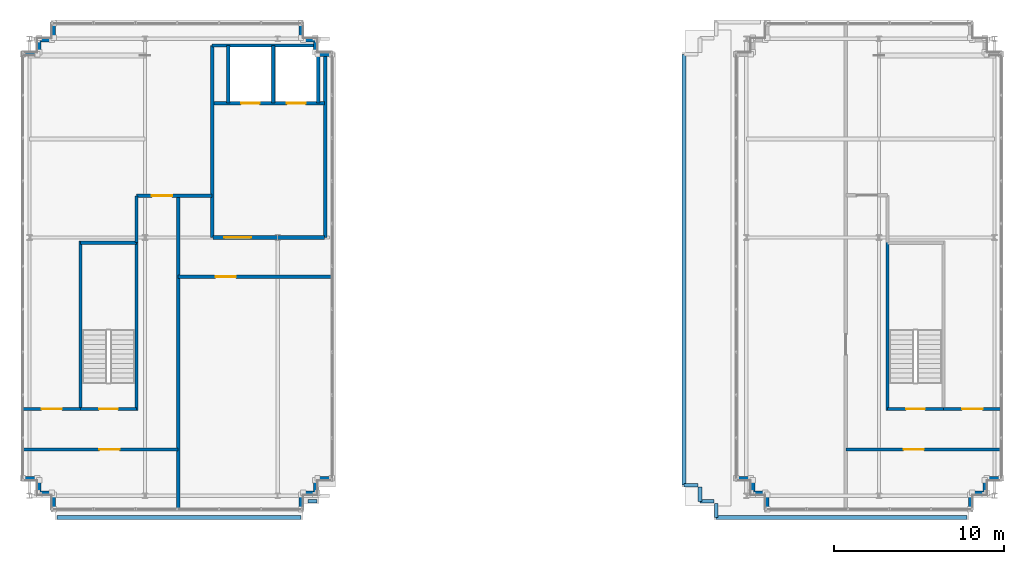
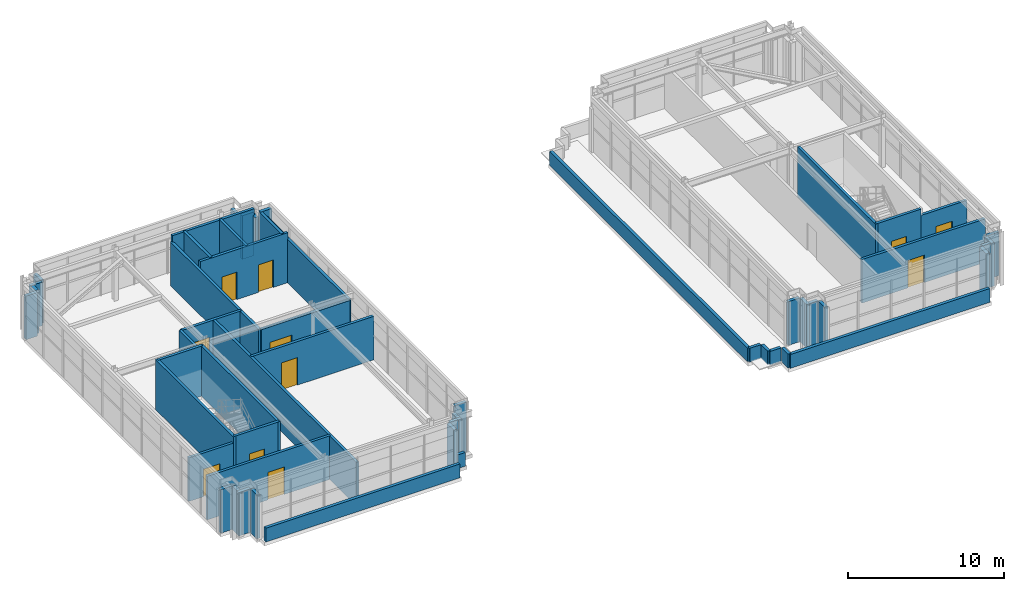
# One storey, part 21 of 25: 54 walls, 11 doors, 11 openings.
"""IFC4 building model written with IfcOpenShell, lengths in metres."""

from ifc_helpers import new_model, si_unit, direction, frame, frame_2d, origin, place, context, subcontext, project, spatial, rectangle, extrude, source, transform, mapped, material, layer, layer_set, type_object, element, fill, save


model = new_model("IFC4")

# Units and contexts
model_context = context("Model", 3, precision=1e-05, world=origin(), true_north=direction((0.0, 1.0)))
body_context = subcontext(model_context, "Body", "Model", "MODEL_VIEW")
ifc_project = project(units=[si_unit("LENGTHUNIT", "METRE"), si_unit("AREAUNIT", "SQUARE_METRE"), si_unit("VOLUMEUNIT", "CUBIC_METRE"), si_unit("PLANEANGLEUNIT", "RADIAN"), si_unit("MASSUNIT", "GRAM", prefix="KILO")], contexts=[model_context])

# Site, building, storey
site_placement = place(None, origin())
site = spatial("IfcSite", under=ifc_project, at=site_placement, CompositionType="ELEMENT")
building_placement = place(site_placement, origin())
building = spatial("IfcBuilding", under=site, at=building_placement, Name="Trelvane Seafront Commons", CompositionType="ELEMENT")
storey_placement = place(building_placement, frame((0.0, 0.0, 316.699951171875)))
storey = spatial("IfcBuildingStorey", under=building, at=storey_placement, Name="L82", CompositionType="ELEMENT", Elevation=316.699951171875)

# Walls
ifc_material_1 = material(Name="Precast concrete C40/50", Category="concrete")
ifc_layer_1 = layer(ifc_material_1, 0.239990234375, Name="ARCH-WALL-EXT240")
ifc_layer_set_1 = layer_set([ifc_layer_1], Name="Precast concrete C40/50")
wall_type_1 = type_object("IfcWallType", Name="ARCH-WALL-EXT240", PredefinedType="SOLIDWALL", material=ifc_layer_set_1)
for number, where, z_axis, x_axis, name in (
    (1, (10.10009765625, 18.3701171875, 0.0), (0.0, 0.0, 1.0), (-1.0, 0.0, 0.0), "EW-L82-CRN-01746"),
    (2, (9.3701171875, 18.25, 0.0), (0.0, 0.0, 1.0), (0.0, 1.0, 0.0), "EW-L82-CRN-01747"),
    (3, (9.25, 19.219970703125, 0.0), (0.0, 0.0, 1.0), (-1.0, 0.0, 0.0), "EW-L82-CRN-01748"),
    (4, (8.39990234375, 44.179931640625, 0.0), (0.0, 0.0, 1.0), (1.0, 0.0, 0.0), "EW-L82-CRN-01749"),
):
    element("IfcWall", number, at=place(storey_placement, frame(where, z_axis=z_axis, x_axis=x_axis)), inside=storey, type_object=wall_type_1, Name=name, PredefinedType="SOLIDWALL", context=body_context, shape_type="SweptSolid", body=[
        extrude(rectangle(XDim=0.85009765625, YDim=0.239990234375, at=frame_2d((0.425048828125, 0.0))), origin(), (0.0, 0.0, 1.0), 3.41015625),
    ])
wall_1_placement = place(storey_placement, frame((9.3701171875, 44.300048828125, 0.0), z_axis=(0.0, 0.0, 1.0), x_axis=(0.0, 1.0, 0.0)))
element("IfcWall", 5, at=wall_1_placement, inside=storey, type_object=wall_type_1, Name="EW-L82-CRN-01750", PredefinedType="SOLIDWALL", context=body_context, shape_type="SweptSolid", body=[
    extrude(rectangle(XDim=0.849853515625, YDim=0.239990234375, at=frame_2d((0.4248046875, 0.0))), origin(), (0.0, 0.0, 1.0), 3.41015625),
])
for number, where, z_axis, x_axis, name in (
    (6, (9.25, 45.030029296875, 0.0), (0.0, 0.0, 1.0), (1.0, 0.0, 0.0), "EW-L82-CRN-01751"),
    (7, (10.219970703125, 45.14990234375, 0.0), (0.0, 0.0, 1.0), (0.0, 1.0, 0.0), "EW-L82-CRN-01752"),
    (8, (24.780029296875, 46.0, 0.0), (0.0, 0.0, 1.0), (0.0, -1.0, 0.0), "EW-L82-CRN-01753"),
    (9, (24.89990234375, 45.030029296875, 0.0), (0.0, 0.0, 1.0), (1.0, 0.0, 0.0), "EW-L82-CRN-01754"),
):
    element("IfcWall", number, at=place(storey_placement, frame(where, z_axis=z_axis, x_axis=x_axis)), inside=storey, type_object=wall_type_1, Name=name, PredefinedType="SOLIDWALL", context=body_context, shape_type="SweptSolid", body=[
        extrude(rectangle(XDim=0.85009765625, YDim=0.239990234375, at=frame_2d((0.425048828125, 0.0))), origin(), (0.0, 0.0, 1.0), 3.41015625),
    ])
wall_2_placement = place(storey_placement, frame((25.6298828125, 45.14990234375, 0.0), z_axis=(0.0, 0.0, 1.0), x_axis=(0.0, -1.0, 0.0)))
element("IfcWall", 10, at=wall_2_placement, inside=storey, type_object=wall_type_1, Name="EW-L82-CRN-01755", PredefinedType="SOLIDWALL", context=body_context, shape_type="SweptSolid", body=[
    extrude(rectangle(XDim=0.849853515625, YDim=0.239990234375, at=frame_2d((0.4248046875, 0.0))), origin(), (0.0, 0.0, 1.0), 3.41015625),
])
for number, where, z_axis, x_axis, name in (
    (11, (25.75, 44.179931640625, 0.0), (0.0, 0.0, 1.0), (1.0, 0.0, 0.0), "EW-L82-CRN-01756"),
    (12, (26.60009765625, 19.219970703125, 0.0), (0.0, 0.0, 1.0), (-1.0, 0.0, 0.0), "EW-L82-CRN-01757"),
):
    element("IfcWall", number, at=place(storey_placement, frame(where, z_axis=z_axis, x_axis=x_axis)), inside=storey, type_object=wall_type_1, Name=name, PredefinedType="SOLIDWALL", context=body_context, shape_type="SweptSolid", body=[
        extrude(rectangle(XDim=0.85009765625, YDim=0.239990234375, at=frame_2d((0.425048828125, 0.0))), origin(), (0.0, 0.0, 1.0), 3.91015625),
    ])
for number, where, z_axis, x_axis, name in (
    (13, (25.6298828125, 19.10009765625, 0.0), (0.0, 0.0, 1.0), (0.0, -1.0, 0.0), "EW-L82-CRN-01758"),
    (14, (25.75, 18.3701171875, 0.0), (0.0, 0.0, 1.0), (-1.0, 0.0, 0.0), "EW-L82-CRN-01759"),
    (15, (24.780029296875, 18.25, 0.0), (0.0, 0.0, 1.0), (0.0, -1.0, 0.0), "EW-L82-CRN-01760"),
    (16, (10.219970703125, 17.39990234375, 0.0), (0.0, 0.0, 1.0), (0.0, 1.0, 0.0), "EW-L82-CRN-01761"),
    (17, (52.10009765625, 18.3701171875, 0.0), (0.0, 0.0, 1.0), (-1.0, 0.0, 0.0), "EW-L82-CRN-01762"),
    (18, (51.3701171875, 18.25, 0.0), (0.0, 0.0, 1.0), (0.0, 1.0, 0.0), "EW-L82-CRN-01763"),
    (19, (51.25, 19.219970703125, 0.0), (0.0, 0.0, 1.0), (-1.0, 0.0, 0.0), "EW-L82-CRN-01764"),
    (20, (66.0, 19.219970703125, 0.0), (0.0, 0.0, 1.0), (-1.0, 0.0, 0.0), "EW-L82-CRN-01773"),
    (21, (65.030029296875, 19.10009765625, 0.0), (0.0, 0.0, 1.0), (0.0, -1.0, 0.0), "EW-L82-CRN-01774"),
):
    element("IfcWall", number, at=place(storey_placement, frame(where, z_axis=z_axis, x_axis=x_axis)), inside=storey, type_object=wall_type_1, Name=name, PredefinedType="SOLIDWALL", context=body_context, shape_type="SweptSolid", body=[
        extrude(rectangle(XDim=0.85009765625, YDim=0.239990234375, at=frame_2d((0.425048828125, 0.0))), origin(), (0.0, 0.0, 1.0), 3.41015625),
    ])
wall_3_placement = place(storey_placement, frame((65.14990234375, 18.3701171875, 0.0), z_axis=(0.0, 0.0, 1.0), x_axis=(-1.0, 0.0, 0.0)))
element("IfcWall", 22, at=wall_3_placement, inside=storey, type_object=wall_type_1, Name="EW-L82-CRN-01775", PredefinedType="SOLIDWALL", context=body_context, shape_type="SweptSolid", body=[
    extrude(rectangle(XDim=0.849853515625, YDim=0.239990234375, at=frame_2d((0.4248046875, 0.0))), origin(), (0.0, 0.0, 1.0), 3.41015625),
])
for number, where, z_axis, x_axis, name in (
    (23, (64.179931640625, 18.25, 0.0), (0.0, 0.0, 1.0), (0.0, -1.0, 0.0), "EW-L82-CRN-01776"),
    (24, (52.219970703125, 17.39990234375, 0.0), (0.0, 0.0, 1.0), (0.0, 1.0, 0.0), "EW-L82-CRN-01777"),
):
    element("IfcWall", number, at=place(storey_placement, frame(where, z_axis=z_axis, x_axis=x_axis)), inside=storey, type_object=wall_type_1, Name=name, PredefinedType="SOLIDWALL", context=body_context, shape_type="SweptSolid", body=[
        extrude(rectangle(XDim=0.85009765625, YDim=0.239990234375, at=frame_2d((0.425048828125, 0.0))), origin(), (0.0, 0.0, 1.0), 3.41015625),
    ])
ifc_material_2 = material(Name="Concrete C40/50", Category="concrete")
ifc_layer_2 = layer(ifc_material_2, 0.199951171875, Name="ARCH-WALL-FIRE200")
ifc_layer_set_2 = layer_set([ifc_layer_2], Name="Concrete C40/50")
wall_type_2 = type_object("IfcWallType", Name="ARCH-WALL-FIRE200", PredefinedType="PARTITIONING", material=ifc_layer_set_2)
wall_4_placement = place(storey_placement, frame((19.550048828125, 33.39990234375, 0.0), z_axis=(0.0, 0.0, 1.0), x_axis=(0.0, 1.0, 0.0)))
element("IfcWall", 25, at=wall_4_placement, inside=storey, type_object=wall_type_2, Name="W-L82-FFL-WEST-CR-009", PredefinedType="PARTITIONING", context=body_context, shape_type="SweptSolid", body=[
    extrude(rectangle(XDim=11.300048828125, YDim=0.199951171875, at=frame_2d((5.64990234375, 0.0))), origin(), (0.0, 0.0, 1.0), 3.41015625),
])
wall_5_placement = place(storey_placement, frame((19.550048828125, 44.699951171875, 0.0), z_axis=(0.0, 0.0, 1.0), x_axis=(1.0, 0.0, 0.0)))
element("IfcWall", 26, at=wall_5_placement, inside=storey, type_object=wall_type_2, Name="W-L82-FFL-NORTH-CR-010", PredefinedType="PARTITIONING", context=body_context, shape_type="SweptSolid", body=[
    extrude(rectangle(XDim=6.079833984375, YDim=0.199951171875, at=frame_2d((3.0400390625, 0.0))), origin(), (0.0, 0.0, 1.0), 3.91015625),
])

# Wall, opening, door
wall_6_placement = place(storey_placement, frame((17.550048828125, 31.080078125, 0.0), z_axis=(0.0, 0.0, 1.0), x_axis=(1.0, 0.0, 0.0)))
wall_6 = element("IfcWall", 27, at=wall_6_placement, inside=storey, type_object=wall_type_2, Name="W-L82-CRNW-N-017", PredefinedType="PARTITIONING", context=body_context, shape_type="SweptSolid", body=[
    extrude(rectangle(XDim=9.0400390625, YDim=0.199951171875, at=frame_2d((4.52001953125, 0.0))), origin(), (0.0, 0.0, 1.0), 3.41015625),
])
opening_1_placement = place(wall_6_placement, frame((2.199951171875, 0.0, 0.0)))
opening_1 = element("IfcOpeningElement", 28, at=opening_1_placement, cuts=wall_6, Name="Opening FD-L82-06", PredefinedType="OPENING", context=body_context, shape_type="SweptSolid", body=[
    extrude(rectangle(XDim=1.199951171875, YDim=2.14990234375, at=frame_2d((0.60009765625, 1.074951171875))), frame((0.0, 0.10986328125, 0.0), z_axis=(0.0, -1.0, 0.0), x_axis=(1.0, 0.0, 0.0)), (0.0, 0.0, 1.0), 0.219970703125),
])
ifc_material_3 = material(Name="Powder-coated aluminium frame", Category="aluminium")
door_type_1 = type_object("IfcDoorType", Name="ARCH-DR-FD60-1200", OperationType="NOTDEFINED", PredefinedType="DOOR", material=ifc_material_3)
shared_shape_1 = source(origin(), body_context, "Body", "SweptSolid", [
    extrude(rectangle(XDim=1.199951171875, YDim=2.14990234375, at=frame_2d((0.60009765625, 1.074951171875))), frame((0.0, 0.02490234375, 0.0), z_axis=(0.0, -1.0, 0.0), x_axis=(1.0, 0.0, 0.0)), (0.0, 0.0, 1.0), 0.050048828125),
])
door_1_placement = place(opening_1_placement, origin())
door_1 = element("IfcDoor", 29, at=door_1_placement, inside=storey, type_object=door_type_1, Name="L82 West AHU Plant Door", OperationType="SINGLE_SWING_RIGHT", OverallHeight=2.14990234375, OverallWidth=1.199951171875, PredefinedType="DOOR", context=body_context, shape_type="MappedRepresentation", body=[
    mapped(shared_shape_1, transform((0.0, 0.0, 0.0), x_axis=(1.0, 0.0, 0.0), y_axis=(0.0, 1.0, 0.0), z_axis=(0.0, 0.0, 1.0), scale=1.0)),
])
fill(opening_1, door_1)

# Wall
wall_7_placement = place(storey_placement, frame((17.550048828125, 17.409912109375, 0.0), z_axis=(0.0, 0.0, 1.0), x_axis=(0.0, 1.0, 0.0)))
element("IfcWall", 30, at=wall_7_placement, inside=storey, type_object=wall_type_2, Name="W-L82-CRNW-E-018", PredefinedType="PARTITIONING", context=body_context, shape_type="SweptSolid", body=[
    extrude(rectangle(XDim=18.440185546875, YDim=0.199951171875, at=frame_2d((9.22021484375, 0.0))), origin(), (0.0, 0.0, 1.0), 3.41015625),
])

# Wall, opening, door
wall_8_placement = place(storey_placement, frame((8.409912109375, 20.919921875, 0.0), z_axis=(0.0, 0.0, 1.0), x_axis=(1.0, 0.0, 0.0)))
wall_8 = element("IfcWall", 31, at=wall_8_placement, inside=storey, type_object=wall_type_2, Name="W-L82-CRNW-S-019", PredefinedType="PARTITIONING", context=body_context, shape_type="SweptSolid", body=[
    extrude(rectangle(XDim=9.14013671875, YDim=0.199951171875, at=frame_2d((4.570068359375, 0.0))), origin(), (0.0, 0.0, 1.0), 3.41015625),
])
opening_2_placement = place(wall_8_placement, frame((4.5, 0.0, 0.0)))
opening_2 = element("IfcOpeningElement", 32, at=opening_2_placement, cuts=wall_8, Name="Opening FD-L82-07", PredefinedType="OPENING", context=body_context, shape_type="SweptSolid", body=[
    extrude(rectangle(XDim=1.199951171875, YDim=2.14990234375, at=frame_2d((0.60009765625, 1.074951171875))), frame((0.0, 0.10986328125, 0.0), z_axis=(0.0, -1.0, 0.0), x_axis=(1.0, 0.0, 0.0)), (0.0, 0.0, 1.0), 0.219970703125),
])
door_2_placement = place(opening_2_placement, origin())
door_2 = element("IfcDoor", 33, at=door_2_placement, inside=storey, type_object=door_type_1, Name="L82 Emergency Power Room Door", OperationType="SINGLE_SWING_LEFT", OverallHeight=2.14990234375, OverallWidth=1.199951171875, PredefinedType="DOOR", context=body_context, shape_type="MappedRepresentation", body=[
    mapped(shared_shape_1, transform((0.0, 0.0, 0.0), x_axis=(1.0, 0.0, 0.0), y_axis=(0.0, 1.0, 0.0), z_axis=(0.0, 0.0, 1.0), scale=1.0)),
])
fill(opening_2, door_2)

wall_9_placement = place(storey_placement, frame((8.409912109375, 23.300048828125, 0.0), z_axis=(0.0, 0.0, 1.0), x_axis=(1.0, 0.0, 0.0)))
wall_9 = element("IfcWall", 34, at=wall_9_placement, inside=storey, type_object=wall_type_2, Name="W-L82-CRNW-WCT-020", PredefinedType="PARTITIONING", context=body_context, shape_type="SweptSolid", body=[
    extrude(rectangle(XDim=3.39013671875, YDim=0.199951171875, at=frame_2d((1.695068359375, 0.0))), origin(), (0.0, 0.0, 1.0), 3.41015625),
])
opening_3_placement = place(wall_9_placement, frame((1.10009765625, 0.0, 0.0)))
opening_3 = element("IfcOpeningElement", 35, at=opening_3_placement, cuts=wall_9, Name="Opening FD-L82-08", PredefinedType="OPENING", context=body_context, shape_type="SweptSolid", body=[
    extrude(rectangle(XDim=1.199951171875, YDim=2.14990234375, at=frame_2d((0.60009765625, 1.074951171875))), frame((0.0, 0.10986328125, 0.0), z_axis=(0.0, -1.0, 0.0), x_axis=(1.0, 0.0, 0.0)), (0.0, 0.0, 1.0), 0.219970703125),
])
door_3_placement = place(opening_3_placement, origin())
door_3 = element("IfcDoor", 36, at=door_3_placement, inside=storey, type_object=door_type_1, Name="L82 Cooling Tower Hall Door", OperationType="SINGLE_SWING_RIGHT", OverallHeight=2.14990234375, OverallWidth=1.199951171875, PredefinedType="DOOR", context=body_context, shape_type="MappedRepresentation", body=[
    mapped(shared_shape_1, transform((0.0, 0.0, 0.0), x_axis=(1.0, 0.0, 0.0), y_axis=(0.0, 1.0, 0.0), z_axis=(0.0, 0.0, 1.0), scale=1.0)),
])
fill(opening_3, door_3)

wall_10_placement = place(storey_placement, frame((15.10009765625, 35.85009765625, 0.0), z_axis=(0.0, 0.0, 1.0), x_axis=(1.0, 0.0, 0.0)))
wall_10 = element("IfcWall", 37, at=wall_10_placement, inside=storey, type_object=wall_type_2, Name="W-L82-CRNW-SPN-021", PredefinedType="PARTITIONING", context=body_context, shape_type="SweptSolid", body=[
    extrude(rectangle(XDim=4.449951171875, YDim=0.199951171875, at=frame_2d((2.22509765625, 0.0))), origin(), (0.0, 0.0, 1.0), 3.41015625),
])
opening_4_placement = place(wall_10_placement, frame((0.89990234375, 0.0, 0.0)))
opening_4 = element("IfcOpeningElement", 38, at=opening_4_placement, cuts=wall_10, Name="Opening FD-L82-09", PredefinedType="OPENING", context=body_context, shape_type="SweptSolid", body=[
    extrude(rectangle(XDim=1.199951171875, YDim=2.14990234375, at=frame_2d((0.60009765625, 1.074951171875))), frame((0.0, 0.10986328125, 0.0), z_axis=(0.0, -1.0, 0.0), x_axis=(1.0, 0.0, 0.0)), (0.0, 0.0, 1.0), 0.219970703125),
])
door_4_placement = place(opening_4_placement, origin())
door_4 = element("IfcDoor", 39, at=door_4_placement, inside=storey, type_object=door_type_1, Name="L82 Door 09", OperationType="SINGLE_SWING_LEFT", OverallHeight=2.14990234375, OverallWidth=1.199951171875, PredefinedType="DOOR", context=body_context, shape_type="MappedRepresentation", body=[
    mapped(shared_shape_1, transform((0.0, 0.0, 0.0), x_axis=(1.0, 0.0, 0.0), y_axis=(0.0, 1.0, 0.0), z_axis=(0.0, 0.0, 1.0), scale=1.0)),
])
fill(opening_4, door_4)

# Wall
wall_11_placement = place(storey_placement, frame((15.10009765625, 33.10009765625, 0.0), z_axis=(0.0, 0.0, 1.0), x_axis=(0.0, 1.0, 0.0)))
element("IfcWall", 40, at=wall_11_placement, inside=storey, type_object=wall_type_2, Name="W-L82-CRNW-SPW-022", PredefinedType="PARTITIONING", context=body_context, shape_type="SweptSolid", body=[
    extrude(rectangle(XDim=2.75, YDim=0.199951171875, at=frame_2d((1.375, 0.0))), origin(), (0.0, 0.0, 1.0), 3.41015625),
])

# Wall, opening, door
wall_12_placement = place(storey_placement, frame((56.85009765625, 20.919921875, 0.0), z_axis=(0.0, 0.0, 1.0), x_axis=(1.0, 0.0, 0.0)))
wall_12 = element("IfcWall", 41, at=wall_12_placement, inside=storey, type_object=wall_type_2, Name="W-L82-CRNE-S-024", PredefinedType="PARTITIONING", context=body_context, shape_type="SweptSolid", body=[
    extrude(rectangle(XDim=9.139892578125, YDim=0.199951171875, at=frame_2d((4.56982421875, 0.0))), origin(), (0.0, 0.0, 1.0), 3.41015625),
])
opening_5_placement = place(wall_12_placement, frame((3.39990234375, 0.0, 0.0)))
opening_5 = element("IfcOpeningElement", 42, at=opening_5_placement, cuts=wall_12, Name="Opening FD-L82-11", PredefinedType="OPENING", context=body_context, shape_type="SweptSolid", body=[
    extrude(rectangle(XDim=1.199951171875, YDim=2.14990234375, at=frame_2d((0.60009765625, 1.074951171875))), frame((0.0, 0.10986328125, 0.0), z_axis=(0.0, -1.0, 0.0), x_axis=(1.0, 0.0, 0.0)), (0.0, 0.0, 1.0), 0.219970703125),
])
door_5_placement = place(opening_5_placement, origin())
door_5 = element("IfcDoor", 43, at=door_5_placement, inside=storey, type_object=door_type_1, Name="L82 Door 11", OperationType="SINGLE_SWING_LEFT", OverallHeight=2.14990234375, OverallWidth=1.199951171875, PredefinedType="DOOR", context=body_context, shape_type="MappedRepresentation", body=[
    mapped(shared_shape_1, transform((0.0, 0.0, 0.0), x_axis=(1.0, 0.0, 0.0), y_axis=(0.0, 1.0, 0.0), z_axis=(0.0, 0.0, 1.0), scale=1.0)),
])
fill(opening_5, door_5)

wall_13_placement = place(storey_placement, frame((62.60009765625, 23.300048828125, 0.0), z_axis=(0.0, 0.0, 1.0), x_axis=(1.0, 0.0, 0.0)))
wall_13 = element("IfcWall", 44, at=wall_13_placement, inside=storey, type_object=wall_type_2, Name="W-L82-CRNE-ETK-025", PredefinedType="PARTITIONING", context=body_context, shape_type="SweptSolid", body=[
    extrude(rectangle(XDim=3.389892578125, YDim=0.199951171875, at=frame_2d((1.69482421875, 0.0))), origin(), (0.0, 0.0, 1.0), 3.41015625),
])
opening_6_placement = place(wall_13_placement, frame((1.10009765625, 0.0, 0.0)))
opening_6 = element("IfcOpeningElement", 45, at=opening_6_placement, cuts=wall_13, Name="Opening FD-L82-12", PredefinedType="OPENING", context=body_context, shape_type="SweptSolid", body=[
    extrude(rectangle(XDim=1.199951171875, YDim=2.14990234375, at=frame_2d((0.60009765625, 1.074951171875))), frame((0.0, 0.10986328125, 0.0), z_axis=(0.0, -1.0, 0.0), x_axis=(1.0, 0.0, 0.0)), (0.0, 0.0, 1.0), 0.219970703125),
])
door_6_placement = place(opening_6_placement, origin())
door_6 = element("IfcDoor", 46, at=door_6_placement, inside=storey, type_object=door_type_1, Name="L82 Door 12", OperationType="SINGLE_SWING_RIGHT", OverallHeight=2.14990234375, OverallWidth=1.199951171875, PredefinedType="DOOR", context=body_context, shape_type="MappedRepresentation", body=[
    mapped(shared_shape_1, transform((0.0, 0.0, 0.0), x_axis=(1.0, 0.0, 0.0), y_axis=(0.0, 1.0, 0.0), z_axis=(0.0, 0.0, 1.0), scale=1.0)),
])
fill(opening_6, door_6)

ifc_layer_3 = layer(ifc_material_2, 0.25, Name="ARCH-WALL-FIRE250")
ifc_layer_set_3 = layer_set([ifc_layer_3], Name="Concrete C40/50")
wall_type_3 = type_object("IfcWallType", Name="ARCH-WALL-FIRE250", PredefinedType="PARTITIONING", material=ifc_layer_set_3)
wall_14_placement = place(storey_placement, frame((19.60009765625, 33.39990234375, 0.0), z_axis=(0.0, 0.0, 1.0), x_axis=(1.0, 0.0, 0.0)))
wall_14 = element("IfcWall", 47, at=wall_14_placement, inside=storey, type_object=wall_type_3, Name="W-L82-CS-FFL-016", PredefinedType="PARTITIONING", context=body_context, shape_type="SweptSolid", body=[
    extrude(rectangle(XDim=6.5498046875, YDim=0.25, at=frame_2d((3.27490234375, 0.0))), origin(), (0.0, 0.0, 1.0), 3.41015625),
])
opening_7_placement = place(wall_14_placement, frame((0.64990234375, 0.0, 0.0)))
opening_7 = element("IfcOpeningElement", 48, at=opening_7_placement, cuts=wall_14, Name="Opening FD-L82-05", PredefinedType="OPENING", context=body_context, shape_type="SweptSolid", body=[
    extrude(rectangle(XDim=1.60009765625, YDim=2.199951171875, at=frame_2d((0.800048828125, 1.10009765625))), frame((0.0, 0.135009765625, 0.0), z_axis=(0.0, -1.0, 0.0), x_axis=(1.0, 0.0, 0.0)), (0.0, 0.0, 1.0), 0.27001953125),
])
door_type_2 = type_object("IfcDoorType", Name="ARCH-DR-FD60-1600", OperationType="DOUBLE_DOOR_SINGLE_SWING", PredefinedType="DOOR", material=ifc_material_3)
shared_shape_2 = source(origin(), body_context, "Body", "SweptSolid", [
    extrude(rectangle(XDim=1.60009765625, YDim=2.199951171875, at=frame_2d((0.800048828125, 1.10009765625))), frame((0.0, 0.02490234375, 0.0), z_axis=(0.0, -1.0, 0.0), x_axis=(1.0, 0.0, 0.0)), (0.0, 0.0, 1.0), 0.050048828125),
])
door_7_placement = place(opening_7_placement, origin())
door_7 = element("IfcDoor", 49, at=door_7_placement, inside=storey, type_object=door_type_2, Name="L82 Firefighting Lift Lobby Double Fire Door", OperationType="DOUBLE_DOOR_SINGLE_SWING", OverallHeight=2.199951171875, OverallWidth=1.60009765625, PredefinedType="DOOR", context=body_context, shape_type="MappedRepresentation", body=[
    mapped(shared_shape_2, transform((0.0, 0.0, 0.0), x_axis=(1.0, 0.0, 0.0), y_axis=(0.0, 1.0, 0.0), z_axis=(0.0, 0.0, 1.0), scale=1.0)),
])
fill(opening_7, door_7)

# Walls
ifc_layer_4 = layer(ifc_material_1, 0.219970703125, Name="ARCH-WALL-PARAPET220")
ifc_layer_set_4 = layer_set([ifc_layer_4], Name="Precast concrete C40/50")
wall_type_4 = type_object("IfcWallType", Name="ARCH-WALL-PARAPET220", PredefinedType="PARAPET", material=ifc_layer_set_4)
wall_15_placement = place(storey_placement, frame((25.72998046875, 17.8701171875, 0.0), z_axis=(0.0, 0.0, 1.0), x_axis=(-1.0, 0.0, 0.0)))
element("IfcWall", 50, at=wall_15_placement, inside=storey, type_object=wall_type_4, Name="PAR-L82-1778", PredefinedType="PARAPET", context=body_context, shape_type="SweptSolid", body=[
    extrude(rectangle(XDim=0.550048828125, YDim=0.219970703125, at=frame_2d((0.27490234375, 0.0))), origin(), (0.0, 0.0, 1.0), 1.080078125),
])
wall_16_placement = place(storey_placement, frame((24.780029296875, 16.919921875, 0.0), z_axis=(0.0, 0.0, 1.0), x_axis=(-1.0, 0.0, 0.0)))
element("IfcWall", 51, at=wall_16_placement, inside=storey, type_object=wall_type_4, Name="PAR-L82-1779", PredefinedType="PARAPET", context=body_context, shape_type="SweptSolid", body=[
    extrude(rectangle(XDim=14.360107421875, YDim=0.219970703125, at=frame_2d((7.18017578125, 0.0))), origin(), (0.0, 0.0, 1.0), 1.080078125),
])
for number, where, z_axis, x_axis, name in (
    (52, (48.27001953125, 17.8701171875, 0.0), (0.0, 0.0, 1.0), (0.0, 1.0, 0.0), "PAR-L82-1780"),
    (53, (48.14990234375, 18.820068359375, 0.0), (0.0, 0.0, 1.0), (-1.0, 0.0, 0.0), "PAR-L82-1781"),
):
    element("IfcWall", number, at=place(storey_placement, frame(where, z_axis=z_axis, x_axis=x_axis)), inside=storey, type_object=wall_type_4, Name=name, PredefinedType="PARAPET", context=body_context, shape_type="SweptSolid", body=[
        extrude(rectangle(XDim=0.829833984375, YDim=0.219970703125, at=frame_2d((0.4150390625, 0.0))), origin(), (0.0, 0.0, 1.0), 1.080078125),
    ])
wall_17_placement = place(storey_placement, frame((47.320068359375, 18.820068359375, 0.0), z_axis=(0.0, 0.0, 1.0), x_axis=(0.0, 1.0, 0.0)))
element("IfcWall", 54, at=wall_17_placement, inside=storey, type_object=wall_type_4, Name="PAR-L82-1782", PredefinedType="PARAPET", context=body_context, shape_type="SweptSolid", body=[
    extrude(rectangle(XDim=25.35986328125, YDim=0.219970703125, at=frame_2d((12.679931640625, 0.0))), origin(), (0.0, 0.0, 1.0), 1.080078125),
])
wall_18_placement = place(storey_placement, frame((63.97998046875, 16.919921875, 0.0), z_axis=(0.0, 0.0, 1.0), x_axis=(-1.0, 0.0, 0.0)))
element("IfcWall", 55, at=wall_18_placement, inside=storey, type_object=wall_type_4, Name="PAR-L82-1788", PredefinedType="PARAPET", context=body_context, shape_type="SweptSolid", body=[
    extrude(rectangle(XDim=14.760009765625, YDim=0.219970703125, at=frame_2d((7.3798828125, 0.0))), origin(), (0.0, 0.0, 1.0), 1.080078125),
])
for number, where, z_axis, x_axis, name in (
    (56, (49.219970703125, 16.919921875, 0.0), (0.0, 0.0, 1.0), (0.0, 1.0, 0.0), "PAR-L82-1789"),
    (57, (49.10009765625, 17.8701171875, 0.0), (0.0, 0.0, 1.0), (-1.0, 0.0, 0.0), "PAR-L82-1790"),
):
    element("IfcWall", number, at=place(storey_placement, frame(where, z_axis=z_axis, x_axis=x_axis)), inside=storey, type_object=wall_type_4, Name=name, PredefinedType="PARAPET", context=body_context, shape_type="SweptSolid", body=[
        extrude(rectangle(XDim=0.830078125, YDim=0.219970703125, at=frame_2d((0.4150390625, 0.0))), origin(), (0.0, 0.0, 1.0), 1.080078125),
    ])

# Wall, openings, doors
ifc_layer_5 = layer(ifc_material_2, 0.199951171875, Name="ARCH-WALL-SHAFT200")
ifc_layer_set_5 = layer_set([ifc_layer_5], Name="Concrete C40/50")
wall_type_5 = type_object("IfcWallType", Name="ARCH-WALL-SHAFT200", PredefinedType="SOLIDWALL", material=ifc_layer_set_5)
wall_19_placement = place(storey_placement, frame((19.64990234375, 41.300048828125, 0.0), z_axis=(0.0, 0.0, 1.0), x_axis=(1.0, 0.0, 0.0)))
wall_19 = element("IfcWall", 58, at=wall_19_placement, inside=storey, type_object=wall_type_5, Name="W-L82-FFL-FRONT-011", PredefinedType="SOLIDWALL", context=body_context, shape_type="SweptSolid", body=[
    extrude(rectangle(XDim=6.5, YDim=0.199951171875, at=frame_2d((3.25, 0.0))), origin(), (0.0, 0.0, 1.0), 3.91015625),
])
opening_8_placement = place(wall_19_placement, frame((1.60009765625, 0.0, 0.0)))
opening_8 = element("IfcOpeningElement", 59, at=opening_8_placement, cuts=wall_19, Name="Opening LD-FF1-L82", PredefinedType="OPENING", context=body_context, shape_type="SweptSolid", body=[
    extrude(rectangle(XDim=1.10009765625, YDim=2.14990234375, at=frame_2d((0.550048828125, 1.074951171875))), frame((0.0, 0.10986328125, 0.0), z_axis=(0.0, -1.0, 0.0), x_axis=(1.0, 0.0, 0.0)), (0.0, 0.0, 1.0), 0.219970703125),
])
opening_9_placement = place(wall_19_placement, frame((4.300048828125, 0.0, 0.0)))
opening_9 = element("IfcOpeningElement", 60, at=opening_9_placement, cuts=wall_19, Name="Opening LD-FF2-L82", PredefinedType="OPENING", context=body_context, shape_type="SweptSolid", body=[
    extrude(rectangle(XDim=1.10009765625, YDim=2.14990234375, at=frame_2d((0.550048828125, 1.074951171875))), frame((0.0, 0.10986328125, 0.0), z_axis=(0.0, -1.0, 0.0), x_axis=(1.0, 0.0, 0.0)), (0.0, 0.0, 1.0), 0.219970703125),
])
ifc_material_4 = material(Name="Stainless steel balustrade", Category="steel")
door_type_3 = type_object("IfcDoorType", Name="ARCH-DR-LD1100", OperationType="DOUBLE_DOOR_SLIDING", PredefinedType="DOOR", material=ifc_material_4)
shared_shape_3 = source(origin(), body_context, "Body", "SweptSolid", [
    extrude(rectangle(XDim=1.10009765625, YDim=2.14990234375, at=frame_2d((0.550048828125, 1.074951171875))), frame((0.0, 0.02490234375, 0.0), z_axis=(0.0, -1.0, 0.0), x_axis=(1.0, 0.0, 0.0)), (0.0, 0.0, 1.0), 0.050048828125),
])
door_8_placement = place(opening_8_placement, origin())
door_8 = element("IfcDoor", 61, at=door_8_placement, inside=storey, type_object=door_type_3, Name="L82 Firefighting Lift FFL-1 Landing Door", OperationType="DOUBLE_DOOR_SLIDING", OverallHeight=2.14990234375, OverallWidth=1.10009765625, PredefinedType="DOOR", context=body_context, shape_type="MappedRepresentation", body=[
    mapped(shared_shape_3, transform((0.0, 0.0, 0.0), x_axis=(1.0, 0.0, 0.0), y_axis=(0.0, 1.0, 0.0), z_axis=(0.0, 0.0, 1.0), scale=1.0)),
])
fill(opening_8, door_8)
door_9_placement = place(opening_9_placement, origin())
door_9 = element("IfcDoor", 62, at=door_9_placement, inside=storey, type_object=door_type_3, Name="L82 Firefighting Lift FFL-2 Landing Door", OperationType="DOUBLE_DOOR_SLIDING", OverallHeight=2.14990234375, OverallWidth=1.10009765625, PredefinedType="DOOR", context=body_context, shape_type="MappedRepresentation", body=[
    mapped(shared_shape_3, transform((0.0, 0.0, 0.0), x_axis=(1.0, 0.0, 0.0), y_axis=(0.0, 1.0, 0.0), z_axis=(0.0, 0.0, 1.0), scale=1.0)),
])
fill(opening_9, door_9)

# Walls
for number, where, z_axis, x_axis, name in (
    (63, (20.5, 41.300048828125, 0.0), (0.0, 0.0, 1.0), (0.0, 1.0, 0.0), "W-L82-FFL-SH-W-012"),
    (64, (23.14990234375, 41.300048828125, 0.0), (0.0, 0.0, 1.0), (0.0, 1.0, 0.0), "W-L82-FFL-DIV-013"),
):
    element("IfcWall", number, at=place(storey_placement, frame(where, z_axis=z_axis, x_axis=x_axis)), inside=storey, type_object=wall_type_5, Name=name, PredefinedType="SOLIDWALL", context=body_context, shape_type="SweptSolid", body=[
        extrude(rectangle(XDim=3.39990234375, YDim=0.199951171875, at=frame_2d((1.699951171875, 0.0))), origin(), (0.0, 0.0, 1.0), 3.91015625),
    ])
wall_20_placement = place(storey_placement, frame((25.800048828125, 41.300048828125, 0.0), z_axis=(0.0, 0.0, 1.0), x_axis=(0.0, 1.0, 0.0)))
element("IfcWall", 65, at=wall_20_placement, inside=storey, type_object=wall_type_5, Name="W-L82-FFL-SH-E-014", PredefinedType="SOLIDWALL", context=body_context, shape_type="SweptSolid", body=[
    extrude(rectangle(XDim=2.85986328125, YDim=0.199951171875, at=frame_2d((1.429931640625, 0.0))), origin(), (0.0, 0.0, 1.0), 3.91015625),
])
wall_21_placement = place(storey_placement, frame((26.199951171875, 33.39990234375, 0.0), z_axis=(0.0, 0.0, 1.0), x_axis=(0.0, 1.0, 0.0)))
element("IfcWall", 66, at=wall_21_placement, inside=storey, type_object=wall_type_5, Name="W-L82-FFL-EAST-015", PredefinedType="SOLIDWALL", context=body_context, shape_type="SweptSolid", body=[
    extrude(rectangle(XDim=10.760009765625, YDim=0.199951171875, at=frame_2d((5.3798828125, 0.0))), origin(), (0.0, 0.0, 1.0), 3.41015625),
])
ifc_material_5 = material(Name="Concrete C50/60", Category="concrete")
ifc_layer_6 = layer(ifc_material_5, 0.199951171875, Name="STR-WALL-STAIR200")
ifc_layer_set_6 = layer_set([ifc_layer_6], Name="Concrete C50/60")
wall_type_6 = type_object("IfcWallType", Name="STR-WALL-STAIR200", PredefinedType="SHEAR", material=ifc_layer_set_6)
for number, where, z_axis, x_axis, name in (
    (67, (11.800048828125, 23.199951171875, 0.0), (0.0, 0.0, 1.0), (0.0, 1.0, 0.0), "W-L82-ST5-W-001"),
    (68, (15.10009765625, 23.199951171875, 0.0), (0.0, 0.0, 1.0), (0.0, 1.0, 0.0), "W-L82-ST5-E-002"),
):
    element("IfcWall", number, at=place(storey_placement, frame(where, z_axis=z_axis, x_axis=x_axis)), inside=storey, type_object=wall_type_6, Name=name, PredefinedType="SHEAR", context=body_context, shape_type="SweptSolid", body=[
        extrude(rectangle(XDim=10.0, YDim=0.199951171875, at=frame_2d((5.0, 0.0))), origin(), (0.0, 0.0, 1.0), 3.91015625),
    ])
wall_22_placement = place(storey_placement, frame((11.800048828125, 33.10009765625, 0.0), z_axis=(0.0, 0.0, 1.0), x_axis=(1.0, 0.0, 0.0)))
element("IfcWall", 69, at=wall_22_placement, inside=storey, type_object=wall_type_6, Name="W-L82-ST5-N-003", PredefinedType="SHEAR", context=body_context, shape_type="SweptSolid", body=[
    extrude(rectangle(XDim=3.300048828125, YDim=0.199951171875, at=frame_2d((1.64990234375, 0.0))), origin(), (0.0, 0.0, 1.0), 3.91015625),
])

# Wall, opening, door
wall_23_placement = place(storey_placement, frame((11.800048828125, 23.300048828125, 0.0), z_axis=(0.0, 0.0, 1.0), x_axis=(1.0, 0.0, 0.0)))
wall_23 = element("IfcWall", 70, at=wall_23_placement, inside=storey, type_object=wall_type_6, Name="W-L82-ST5-S-004", PredefinedType="SHEAR", context=body_context, shape_type="SweptSolid", body=[
    extrude(rectangle(XDim=3.300048828125, YDim=0.199951171875, at=frame_2d((1.64990234375, 0.0))), origin(), (0.0, 0.0, 1.0), 3.91015625),
])
opening_10_placement = place(wall_23_placement, frame((1.10009765625, 0.0, 0.0)))
opening_10 = element("IfcOpeningElement", 71, at=opening_10_placement, cuts=wall_23, Name="Opening ST-D-ST5-L82", PredefinedType="OPENING", context=body_context, shape_type="SweptSolid", body=[
    extrude(rectangle(XDim=1.10009765625, YDim=2.14990234375, at=frame_2d((0.550048828125, 1.074951171875))), frame((0.0, 0.10986328125, 0.0), z_axis=(0.0, -1.0, 0.0), x_axis=(1.0, 0.0, 0.0)), (0.0, 0.0, 1.0), 0.219970703125),
])
door_type_4 = type_object("IfcDoorType", Name="ARCH-DR-FD90-1100", OperationType="NOTDEFINED", PredefinedType="DOOR", material=ifc_material_3)
door_10_placement = place(opening_10_placement, origin())
door_10 = element("IfcDoor", 72, at=door_10_placement, inside=storey, type_object=door_type_4, Name="L82 Crown ST5 Fire Door", OperationType="SINGLE_SWING_LEFT", OverallHeight=2.14990234375, OverallWidth=1.10009765625, PredefinedType="DOOR", context=body_context, shape_type="MappedRepresentation", body=[
    mapped(shared_shape_3, transform((0.0, 0.0, 0.0), x_axis=(1.0, 0.0, 0.0), y_axis=(0.0, 1.0, 0.0), z_axis=(0.0, 0.0, 1.0), scale=1.0)),
])
fill(opening_10, door_10)

# Wall
wall_24_placement = place(storey_placement, frame((59.300048828125, 23.199951171875, 0.0), z_axis=(0.0, 0.0, 1.0), x_axis=(0.0, 1.0, 0.0)))
element("IfcWall", 73, at=wall_24_placement, inside=storey, type_object=wall_type_6, Name="W-L82-ST6-W-005", PredefinedType="SHEAR", context=body_context, shape_type="SweptSolid", body=[
    extrude(rectangle(XDim=10.0, YDim=0.199951171875, at=frame_2d((5.0, 0.0))), origin(), (0.0, 0.0, 1.0), 3.91015625),
])

# Wall, opening, door
wall_25_placement = place(storey_placement, frame((59.300048828125, 23.300048828125, 0.0), z_axis=(0.0, 0.0, 1.0), x_axis=(1.0, 0.0, 0.0)))
wall_25 = element("IfcWall", 74, at=wall_25_placement, inside=storey, type_object=wall_type_6, Name="W-L82-ST6-S-008", PredefinedType="SHEAR", context=body_context, shape_type="SweptSolid", body=[
    extrude(rectangle(XDim=3.300048828125, YDim=0.199951171875, at=frame_2d((1.64990234375, 0.0))), origin(), (0.0, 0.0, 1.0), 3.91015625),
])
opening_11_placement = place(wall_25_placement, frame((1.10009765625, 0.0, 0.0)))
opening_11 = element("IfcOpeningElement", 75, at=opening_11_placement, cuts=wall_25, Name="Opening ST-D-ST6-L82", PredefinedType="OPENING", context=body_context, shape_type="SweptSolid", body=[
    extrude(rectangle(XDim=1.10009765625, YDim=2.14990234375, at=frame_2d((0.550048828125, 1.074951171875))), frame((0.0, 0.10986328125, 0.0), z_axis=(0.0, -1.0, 0.0), x_axis=(1.0, 0.0, 0.0)), (0.0, 0.0, 1.0), 0.219970703125),
])
door_11_placement = place(opening_11_placement, origin())
door_11 = element("IfcDoor", 76, at=door_11_placement, inside=storey, type_object=door_type_4, Name="L82 Crown ST6 Fire Door", OperationType="SINGLE_SWING_RIGHT", OverallHeight=2.14990234375, OverallWidth=1.10009765625, PredefinedType="DOOR", context=body_context, shape_type="MappedRepresentation", body=[
    mapped(shared_shape_3, transform((0.0, 0.0, 0.0), x_axis=(1.0, 0.0, 0.0), y_axis=(0.0, 1.0, 0.0), z_axis=(0.0, 0.0, 1.0), scale=1.0)),
])
fill(opening_11, door_11)

save(model, "model.ifc")
